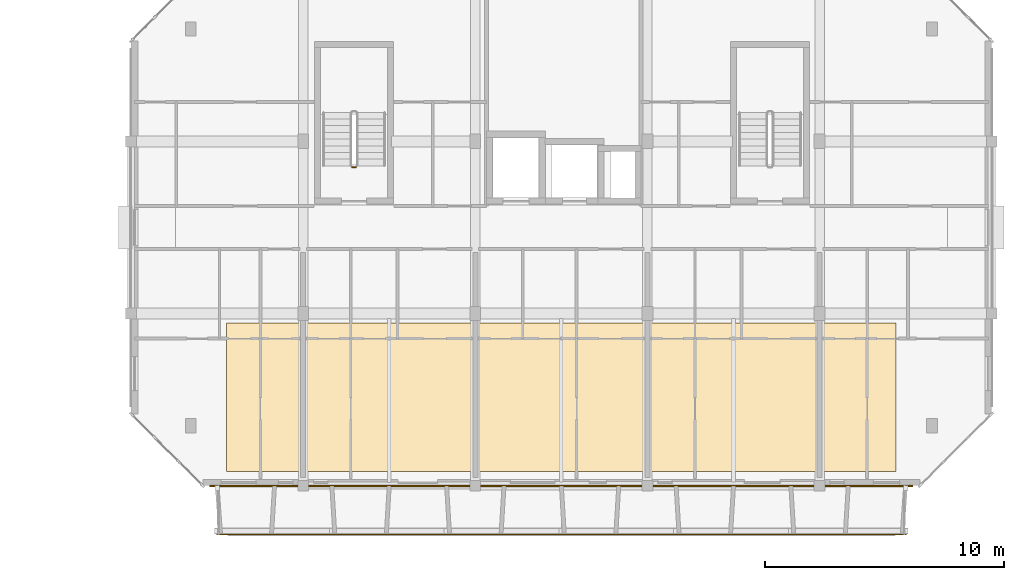
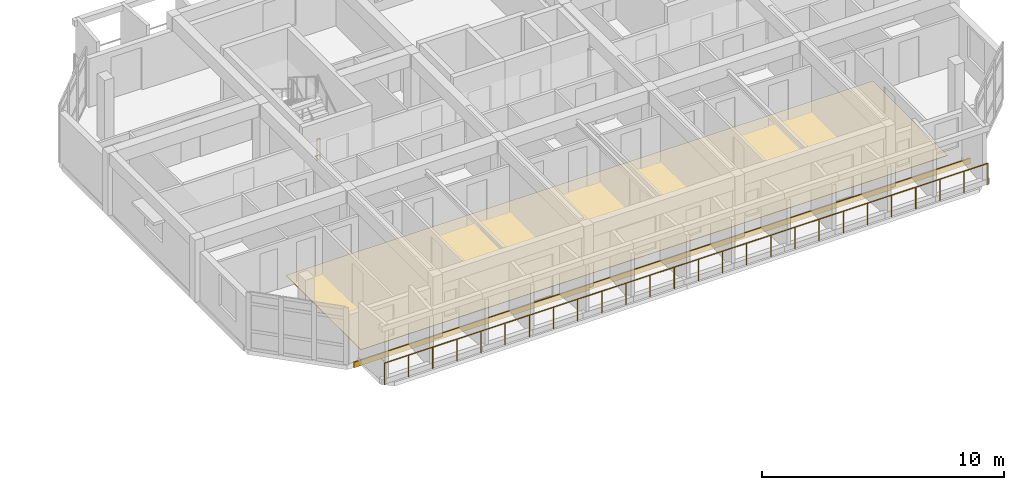
# One storey, part 27 of 31: 2 coverings, 2 railings.
"""IFC4 building model written with IfcOpenShell, lengths in metres."""

from ifc_helpers import new_model, si_unit, direction, frame, origin, origin_2d, place, context, subcontext, project, spatial, polyline, rectangle, circle, outline, extrude, material, layer, layer_set, type_object, element, save


model = new_model("IFC4")

# Units and contexts
model_context = context("Model", 3, precision=1e-05, world=origin(), true_north=direction((0.0, 1.0)))
body_context = subcontext(model_context, "Body", "Model", "MODEL_VIEW")
ifc_project = project(units=[si_unit("LENGTHUNIT", "METRE"), si_unit("AREAUNIT", "SQUARE_METRE"), si_unit("VOLUMEUNIT", "CUBIC_METRE"), si_unit("PLANEANGLEUNIT", "RADIAN"), si_unit("MASSUNIT", "GRAM", prefix="KILO")], contexts=[model_context])

# Site, building, storey
site_placement = place(None, origin())
site = spatial("IfcSite", under=ifc_project, at=site_placement, CompositionType="ELEMENT")
building_placement = place(site_placement, origin())
building = spatial("IfcBuilding", under=site, at=building_placement, Name="Ochrevale Crest", CompositionType="ELEMENT")
storey_placement = place(building_placement, frame((0.0, 0.0, 37.050048828125)))
storey = spatial("IfcBuildingStorey", under=building, at=storey_placement, Name="L11", CompositionType="ELEMENT", Elevation=37.050048828125)

# Coverings
ifc_material_1 = material(Name="Glazed terracotta rainscreen tile", Category="masonry")
ifc_layer_1 = layer(ifc_material_1, 0.048095703125)
ifc_layer_set_1 = layer_set([ifc_layer_1], Name="Glazed terracotta rainscreen tile")
covering_type_1 = type_object("IfcCoveringType", Name="COV-CLAD-TER", PredefinedType="CLADDING", material=ifc_layer_set_1)
covering_1_placement = place(storey_placement, frame((147.60009765625, 14.387451171875, -0.26025390625), z_axis=(0.0, 0.0, 1.0), x_axis=(1.0, 0.0, 0.0)))
element("IfcCovering", 1, at=covering_1_placement, inside=storey, type_object=covering_type_1, Name="Block C L11 terracotta slab-edge spandrel cladding", PredefinedType="CLADDING", context=body_context, shape_type="SweptSolid", body=[
    extrude(rectangle(XDim=29.39990234375, YDim=0.06005859375, at=origin_2d()), origin(), (0.0, 0.0, 1.0), 0.280029296875),
])
ifc_material_2 = material(Name="Engineered spotted-gum hardwood flooring", Category="wood")
ifc_layer_2 = layer(ifc_material_2, 0.02001953125)
ifc_layer_set_2 = layer_set([ifc_layer_2], Name="Engineered spotted-gum hardwood flooring")
covering_type_2 = type_object("IfcCoveringType", Name="COV-FLR-TIM", PredefinedType="FLOORING", material=ifc_layer_set_2)
covering_2_placement = place(storey_placement, origin())
element("IfcCovering", 2, at=covering_2_placement, inside=storey, type_object=covering_type_2, Name="Block C L11 spotted-gum apartment flooring", PredefinedType="FLOORING", context=body_context, shape_type="SweptSolid", body=[
    extrude(outline(polyline([(133.60009765625, 15.0), (161.60009765625, 15.0), (161.60009765625, 21.199951171875), (133.60009765625, 21.199951171875), (133.60009765625, 15.0)])), origin(), (0.0, 0.0, 1.0), 0.02001953125),
])

# Railings
ifc_material_3 = material(Name="Galvanised steel", Category="steel")
railing_type_1 = type_object("IfcRailingType", Name="RL-BAL-1100", PredefinedType="BALUSTRADE", material=ifc_material_3)
railing_1_placement = place(storey_placement, frame((133.199951171875, 12.360107421875, 0.0)))
element("IfcRailing", 3, at=railing_1_placement, inside=storey, type_object=railing_type_1, Name="Block C L11 S balcony front balustrade", PredefinedType="BALUSTRADE", context=body_context, shape_type="SweptSolid", body=[
    extrude(circle(Radius=0.02392578125, at=origin_2d()), frame((0.0, 0.0, 1.0859375), z_axis=(1.0, 0.0, 0.0), x_axis=(0.0, 1.0, 0.0)), (0.0, 0.0, 1.0), 28.800048828125),
    extrude(circle(Radius=0.02099609375, at=origin_2d()), origin(), (0.0, 0.0, 1.0), 1.06201171875),
    extrude(circle(Radius=0.02099609375, at=origin_2d()), frame((1.152099609375, 0.0, 0.0)), (0.0, 0.0, 1.0), 1.06201171875),
    extrude(circle(Radius=0.02099609375, at=origin_2d()), frame((2.303955078125, 0.0, 0.0)), (0.0, 0.0, 1.0), 1.06201171875),
    extrude(circle(Radius=0.02099609375, at=origin_2d()), frame((3.4560546875, 0.0, 0.0)), (0.0, 0.0, 1.0), 1.06201171875),
    extrude(circle(Radius=0.02099609375, at=origin_2d()), frame((4.60791015625, 0.0, 0.0)), (0.0, 0.0, 1.0), 1.06201171875),
    extrude(circle(Radius=0.02099609375, at=origin_2d()), frame((5.760009765625, 0.0, 0.0)), (0.0, 0.0, 1.0), 1.06201171875),
    extrude(circle(Radius=0.02099609375, at=origin_2d()), frame((6.912109375, 0.0, 0.0)), (0.0, 0.0, 1.0), 1.06201171875),
    extrude(circle(Radius=0.02099609375, at=origin_2d()), frame((8.06396484375, 0.0, 0.0)), (0.0, 0.0, 1.0), 1.06201171875),
    extrude(circle(Radius=0.02099609375, at=origin_2d()), frame((9.216064453125, 0.0, 0.0)), (0.0, 0.0, 1.0), 1.06201171875),
    extrude(circle(Radius=0.02099609375, at=origin_2d()), frame((10.367919921875, 0.0, 0.0)), (0.0, 0.0, 1.0), 1.06201171875),
    extrude(circle(Radius=0.02099609375, at=origin_2d()), frame((11.52001953125, 0.0, 0.0)), (0.0, 0.0, 1.0), 1.06201171875),
    extrude(circle(Radius=0.02099609375, at=origin_2d()), frame((12.672119140625, 0.0, 0.0)), (0.0, 0.0, 1.0), 1.06201171875),
    extrude(circle(Radius=0.02099609375, at=origin_2d()), frame((13.823974609375, 0.0, 0.0)), (0.0, 0.0, 1.0), 1.06201171875),
    extrude(circle(Radius=0.02099609375, at=origin_2d()), frame((14.97607421875, 0.0, 0.0)), (0.0, 0.0, 1.0), 1.06201171875),
    extrude(circle(Radius=0.02099609375, at=origin_2d()), frame((16.1279296875, 0.0, 0.0)), (0.0, 0.0, 1.0), 1.06201171875),
    extrude(circle(Radius=0.02099609375, at=origin_2d()), frame((17.280029296875, 0.0, 0.0)), (0.0, 0.0, 1.0), 1.06201171875),
    extrude(circle(Radius=0.02099609375, at=origin_2d()), frame((18.43212890625, 0.0, 0.0)), (0.0, 0.0, 1.0), 1.06201171875),
    extrude(circle(Radius=0.02099609375, at=origin_2d()), frame((19.583984375, 0.0, 0.0)), (0.0, 0.0, 1.0), 1.06201171875),
    extrude(circle(Radius=0.02099609375, at=origin_2d()), frame((20.736083984375, 0.0, 0.0)), (0.0, 0.0, 1.0), 1.06201171875),
    extrude(circle(Radius=0.02099609375, at=origin_2d()), frame((21.887939453125, 0.0, 0.0)), (0.0, 0.0, 1.0), 1.06201171875),
    extrude(circle(Radius=0.02099609375, at=origin_2d()), frame((23.0400390625, 0.0, 0.0)), (0.0, 0.0, 1.0), 1.06201171875),
    extrude(circle(Radius=0.02099609375, at=origin_2d()), frame((24.192138671875, 0.0, 0.0)), (0.0, 0.0, 1.0), 1.06201171875),
    extrude(circle(Radius=0.02099609375, at=origin_2d()), frame((25.343994140625, 0.0, 0.0)), (0.0, 0.0, 1.0), 1.06201171875),
    extrude(circle(Radius=0.02099609375, at=origin_2d()), frame((26.49609375, 0.0, 0.0)), (0.0, 0.0, 1.0), 1.06201171875),
    extrude(circle(Radius=0.02099609375, at=origin_2d()), frame((27.64794921875, 0.0, 0.0)), (0.0, 0.0, 1.0), 1.06201171875),
    extrude(circle(Radius=0.02099609375, at=origin_2d()), frame((28.800048828125, 0.0, 0.0)), (0.0, 0.0, 1.0), 1.06201171875),
])
railing_type_2 = type_object("IfcRailingType", Name="RL-ST-GUARD", PredefinedType="BALUSTRADE", material=ifc_material_3)
railing_2_placement = place(storey_placement, frame((139.0, 27.72509765625, 0.0)))
element("IfcRailing", 4, at=railing_2_placement, inside=storey, type_object=railing_type_2, Name="L11 ST-C1 stair guard 4", PredefinedType="BALUSTRADE", context=body_context, shape_type="SweptSolid", body=[
    extrude(circle(Radius=0.02392578125, at=origin_2d()), frame((0.0, 0.0, 1.076171875), z_axis=(-1.0, 0.0, 0.0), x_axis=(0.0, -1.0, 0.0)), (0.0, 0.0, 1.0), 0.14990234375),
    extrude(circle(Radius=0.02099609375, at=origin_2d()), origin(), (0.0, 0.0, 1.0), 1.052001953125),
    extrude(circle(Radius=0.02099609375, at=origin_2d()), frame((-0.14990234375, 0.0, 0.0)), (0.0, 0.0, 1.0), 1.052001953125),
])

save(model, "model.ifc")
